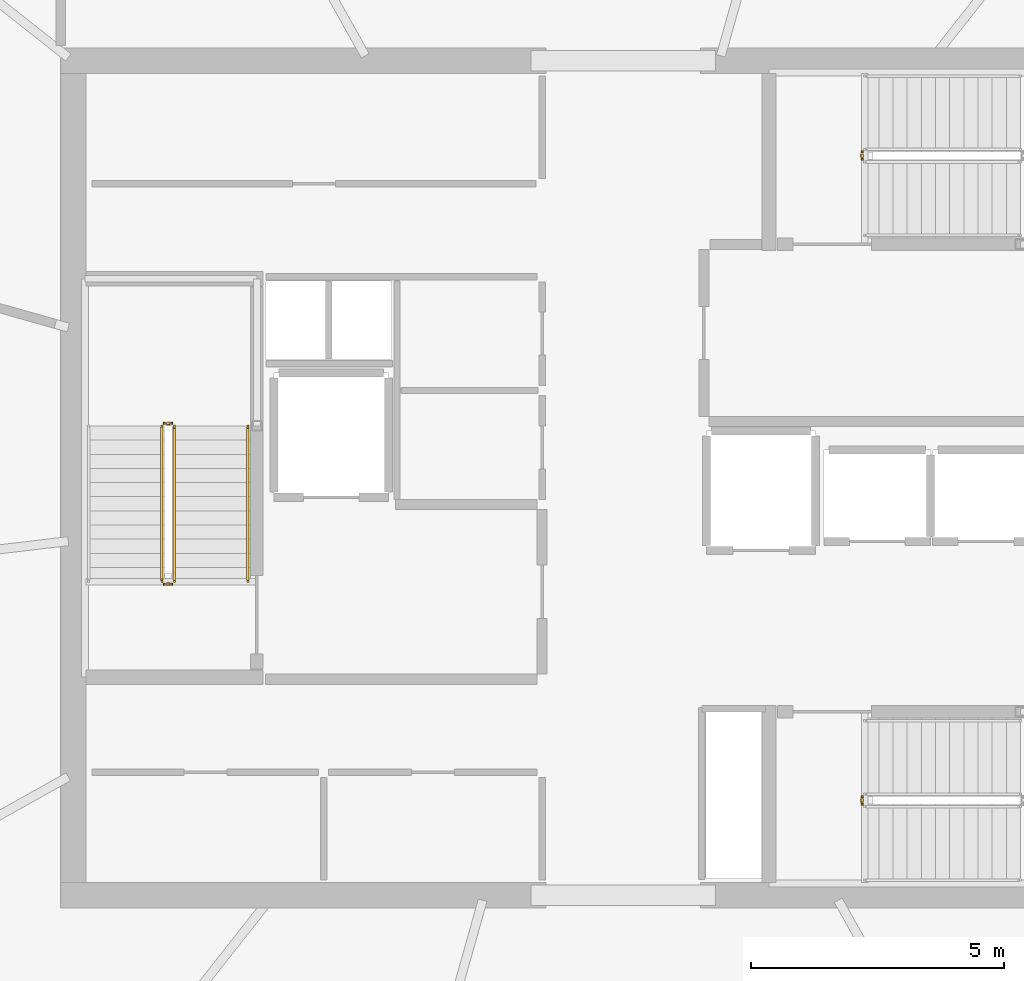
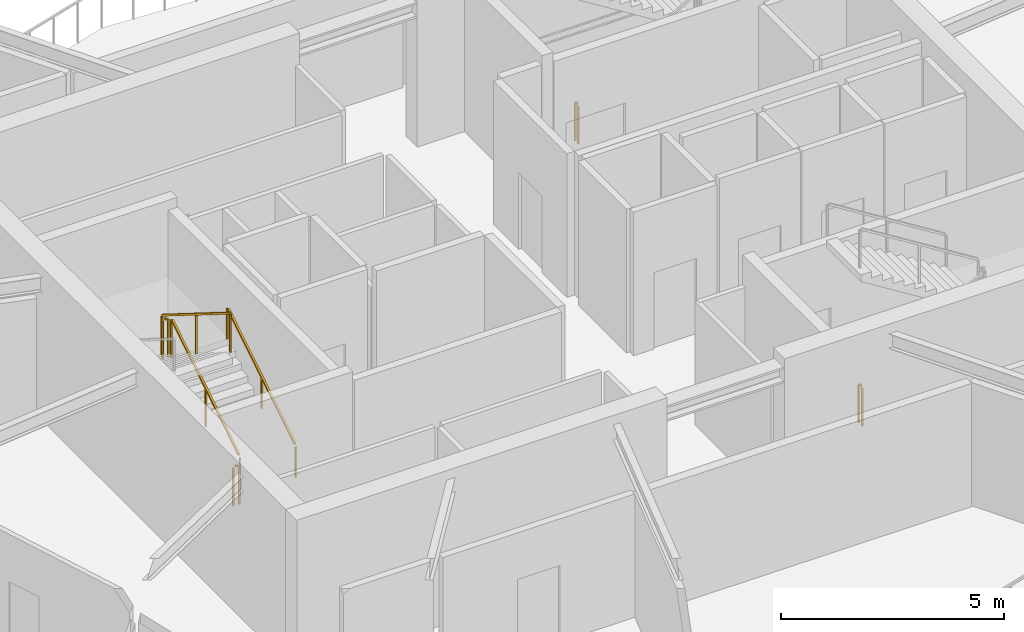
# One storey, part 19 of 22: 7 railings.
"""IFC4 building model written with IfcOpenShell, lengths in metres."""

from ifc_helpers import new_model, si_unit, direction, frame, origin, origin_2d, place, context, subcontext, project, spatial, rectangle, extrude, material, type_object, element, save


model = new_model("IFC4")

# Units and contexts
model_context = context("Model", 3, precision=1e-05, world=origin(), true_north=direction((0.0, 1.0)))
body_context = subcontext(model_context, "Body", "Model", "MODEL_VIEW")
ifc_project = project(units=[si_unit("LENGTHUNIT", "METRE"), si_unit("AREAUNIT", "SQUARE_METRE"), si_unit("VOLUMEUNIT", "CUBIC_METRE"), si_unit("PLANEANGLEUNIT", "RADIAN"), si_unit("MASSUNIT", "GRAM", prefix="KILO")], contexts=[model_context])

# Site, building, storey
site_placement = place(None, origin())
site = spatial("IfcSite", under=ifc_project, at=site_placement, CompositionType="ELEMENT")
building_placement = place(site_placement, origin())
building = spatial("IfcBuilding", under=site, at=building_placement, Name="Kazma Halo Residences", CompositionType="ELEMENT")
storey_placement = place(building_placement, frame((0.0, 0.0, 330.5)))
storey = spatial("IfcBuildingStorey", under=building, at=storey_placement, Name="L83", CompositionType="ELEMENT", Elevation=330.5)

# Railings
ifc_material_1 = material(Name="Painted Steel S355", Category="steel")
railing_type_1 = type_object("IfcRailingType", Name="RLG-STAIR-GRD-1100", PredefinedType="GUARDRAIL", material=ifc_material_1)
railing_1_placement = place(storey_placement, frame((39.550048828125, 39.949951171875, 0.175048828125)))
element("IfcRailing", 1, at=railing_1_placement, inside=storey, type_object=railing_type_1, Name="L83 ST-01 stair guard 1", PredefinedType="GUARDRAIL", context=body_context, shape_type="SweptSolid", body=[
    extrude(rectangle(XDim=0.050048828125, YDim=0.050048828125, at=origin_2d()), frame((0.0, 0.0361328125, 1.09765625), z_axis=(0.0, 0.847998304005, 0.529998940003), x_axis=(-1.0, 0.0, 0.0)), (0.0, 0.0, 1.0), 3.547119140625),
    extrude(rectangle(XDim=0.0400390625, YDim=0.0400390625, at=origin_2d()), origin(), (0.0, 0.0, 1.0), 1.0380859375),
    extrude(rectangle(XDim=0.0400390625, YDim=0.0400390625, at=origin_2d()), frame((0.0, 1.5400390625, 0.96240234375)), (0.0, 0.0, 1.0), 1.0380859375),
    extrude(rectangle(XDim=0.0400390625, YDim=0.0400390625, at=origin_2d()), frame((0.0, 3.080078125, 1.925048828125)), (0.0, 0.0, 1.0), 1.0380859375),
])
railing_2_placement = place(storey_placement, frame((39.5, 43.080078125, 2.10009765625)))
element("IfcRailing", 2, at=railing_2_placement, inside=storey, type_object=railing_type_1, Name="L83 ST-01 stair guard 2", PredefinedType="GUARDRAIL", context=body_context, shape_type="SweptSolid", body=[
    extrude(rectangle(XDim=0.050048828125, YDim=0.050048828125, at=origin_2d()), frame((-0.04248046875, 0.0, 1.0751953125), z_axis=(-1.0, 0.0, 0.0), x_axis=(0.0, -1.0, 0.0)), (0.0, 0.0, 1.0), 0.06494140625),
    extrude(rectangle(XDim=0.0400390625, YDim=0.0400390625, at=origin_2d()), origin(), (0.0, 0.0, 1.0), 1.0380859375),
    extrude(rectangle(XDim=0.0400390625, YDim=0.0400390625, at=origin_2d()), frame((-0.14990234375, 0.0, 0.0)), (0.0, 0.0, 1.0), 1.0380859375),
])
railing_3_placement = place(storey_placement, frame((39.300048828125, 43.030029296875, 2.27490234375)))
element("IfcRailing", 3, at=railing_3_placement, inside=storey, type_object=railing_type_1, Name="L83 ST-01 stair guard 3", PredefinedType="GUARDRAIL", context=body_context, shape_type="SweptSolid", body=[
    extrude(rectangle(XDim=0.050048828125, YDim=0.050048828125, at=origin_2d()), frame((0.0, -0.0361328125, 1.09765625), z_axis=(0.0, -0.847998304005, 0.529998940003), x_axis=(1.0, 0.0, 0.0)), (0.0, 0.0, 1.0), 3.547119140625),
    extrude(rectangle(XDim=0.0400390625, YDim=0.0400390625, at=origin_2d()), origin(), (0.0, 0.0, 1.0), 1.0380859375),
    extrude(rectangle(XDim=0.0400390625, YDim=0.0400390625, at=origin_2d()), frame((0.0, -1.5400390625, 0.96240234375)), (0.0, 0.0, 1.0), 1.0380859375),
    extrude(rectangle(XDim=0.0400390625, YDim=0.0400390625, at=origin_2d()), frame((0.0, -3.080078125, 1.925048828125)), (0.0, 0.0, 1.0), 1.0380859375),
])
railing_4_placement = place(storey_placement, frame((39.5, 39.89990234375, 0.0)))
element("IfcRailing", 4, at=railing_4_placement, inside=storey, type_object=railing_type_1, Name="L83 ST-01 stair guard 4", PredefinedType="GUARDRAIL", context=body_context, shape_type="SweptSolid", body=[
    extrude(rectangle(XDim=0.050048828125, YDim=0.050048828125, at=origin_2d()), frame((-0.04248046875, 0.0, 1.0751953125), z_axis=(-1.0, 0.0, 0.0), x_axis=(0.0, -1.0, 0.0)), (0.0, 0.0, 1.0), 0.06494140625),
    extrude(rectangle(XDim=0.0400390625, YDim=0.0400390625, at=origin_2d()), origin(), (0.0, 0.0, 1.0), 1.0380859375),
    extrude(rectangle(XDim=0.0400390625, YDim=0.0400390625, at=origin_2d()), frame((-0.14990234375, 0.0, 0.0)), (0.0, 0.0, 1.0), 1.0380859375),
])
for number, where, name in (
    (5, (53.14990234375, 48.300048828125, 0.0), "L83 ST-02 stair guard 4"),
    (6, (53.14990234375, 35.550048828125, 0.0), "L83 ST-03 stair guard 4"),
):
    element("IfcRailing", number, at=place(storey_placement, frame(where)), inside=storey, type_object=railing_type_1, Name=name, PredefinedType="GUARDRAIL", context=body_context, shape_type="SweptSolid", body=[
        extrude(rectangle(XDim=0.050048828125, YDim=0.050048828125, at=origin_2d()), frame((0.0, 0.04248046875, 1.0751953125), z_axis=(0.0, 1.0, 0.0), x_axis=(-1.0, 0.0, 0.0)), (0.0, 0.0, 1.0), 0.06494140625),
        extrude(rectangle(XDim=0.0400390625, YDim=0.0400390625, at=origin_2d()), origin(), (0.0, 0.0, 1.0), 1.0380859375),
        extrude(rectangle(XDim=0.0400390625, YDim=0.0400390625, at=origin_2d()), frame((0.0, 0.14990234375, 0.0)), (0.0, 0.0, 1.0), 1.0380859375),
    ])
ifc_material_2 = material(Name="Brushed Stainless Steel", Category="steel")
railing_type_2 = type_object("IfcRailingType", Name="RLG-STAIR-HND-900", PredefinedType="HANDRAIL", material=ifc_material_2)
railing_5_placement = place(storey_placement, frame((41.0, 39.949951171875, 0.175048828125)))
element("IfcRailing", 7, at=railing_5_placement, inside=storey, type_object=railing_type_2, Name="L83 ST-01 stair handrail 1", PredefinedType="HANDRAIL", context=body_context, shape_type="SweptSolid", body=[
    extrude(rectangle(XDim=0.050048828125, YDim=0.050048828125, at=origin_2d()), frame((0.0, 0.0361328125, 0.8974609375), z_axis=(0.0, 0.847998304005, 0.529998940003), x_axis=(-1.0, 0.0, 0.0)), (0.0, 0.0, 1.0), 3.547119140625),
    extrude(rectangle(XDim=0.0400390625, YDim=0.0400390625, at=origin_2d()), origin(), (0.0, 0.0, 1.0), 0.837890625),
    extrude(rectangle(XDim=0.0400390625, YDim=0.0400390625, at=origin_2d()), frame((0.0, 1.5400390625, 0.96240234375)), (0.0, 0.0, 1.0), 0.837890625),
    extrude(rectangle(XDim=0.0400390625, YDim=0.0400390625, at=origin_2d()), frame((0.0, 3.080078125, 1.925048828125)), (0.0, 0.0, 1.0), 0.837890625),
])

save(model, "model.ifc")
